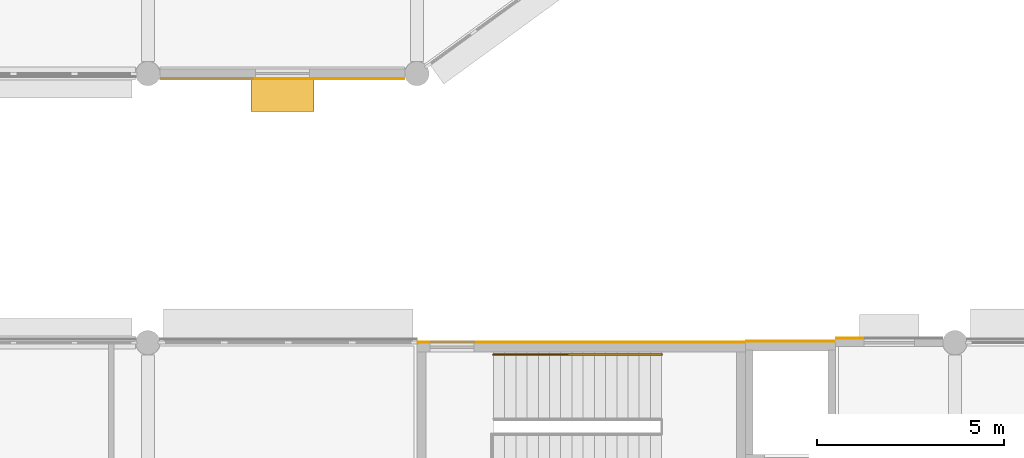
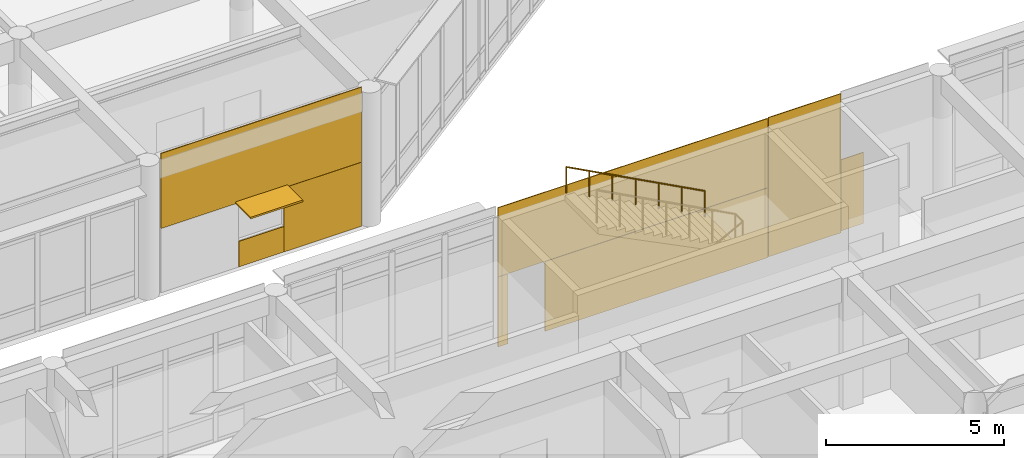
# One storey, part 66 of 92: 8 coverings, 1 railing, 1 shading device.
"""IFC4 building model written with IfcOpenShell, lengths in metres."""

from ifc_helpers import new_model, si_unit, direction, frame, origin, origin_2d, place, context, subcontext, project, spatial, rectangle, circle, extrude, material, layer, layer_set, type_object, element, save


model = new_model("IFC4")

# Units and contexts
model_context = context("Model", 3, precision=1e-05, world=origin(), true_north=direction((0.0, 1.0)))
body_context = subcontext(model_context, "Body", "Model", "MODEL_VIEW")
ifc_project = project(units=[si_unit("LENGTHUNIT", "METRE"), si_unit("AREAUNIT", "SQUARE_METRE"), si_unit("VOLUMEUNIT", "CUBIC_METRE"), si_unit("PLANEANGLEUNIT", "RADIAN"), si_unit("MASSUNIT", "GRAM", prefix="KILO")], contexts=[model_context])

# Site, building, storey
site_placement = place(None, origin())
site = spatial("IfcSite", under=ifc_project, at=site_placement, CompositionType="ELEMENT")
building_placement = place(site_placement, origin())
building = spatial("IfcBuilding", under=site, at=building_placement, Name="Namkhue Oval Health Centre", CompositionType="ELEMENT")
storey_placement = place(building_placement, frame((0.0, 0.0, 4.800048828125)))
storey = spatial("IfcBuildingStorey", under=building, at=storey_placement, Name="L01", CompositionType="ELEMENT", Elevation=4.800048828125)

# Railing
ifc_material_1 = material(Name="Brushed stainless steel 304 tubular handrail", Category="steel")
railing_type = type_object("IfcRailingType", Name="INTERIOR STAIR HANDRAIL 900", PredefinedType="HANDRAIL", material=ifc_material_1)
railing_placement = place(storey_placement, frame((64.14990234375, 28.47998046875, 2.39990234375)))
element("IfcRailing", 1, at=railing_placement, inside=storey, type_object=railing_type, Name="Stair ST-07 L01 Flight 2 Handrail", PredefinedType="HANDRAIL", context=body_context, shape_type="SweptSolid", body=[
    extrude(circle(Radius=0.02392578125, at=origin_2d()), frame((0.0, 0.0, 0.8759765625), z_axis=(-0.882341014787, 0.0, 0.470610596591), x_axis=(0.0, -1.0, 0.0)), (0.0, 0.0, 1.0), 5.10009765625),
    extrude(circle(Radius=0.02099609375, at=origin_2d()), origin(), (0.0, 0.0, 1.0), 0.851806640625),
    extrude(circle(Radius=0.02099609375, at=origin_2d()), frame((-0.75, 0.0, 0.39990234375)), (0.0, 0.0, 1.0), 0.851806640625),
    extrude(circle(Radius=0.02099609375, at=origin_2d()), frame((-1.5, 0.0, 0.800048828125)), (0.0, 0.0, 1.0), 0.851806640625),
    extrude(circle(Radius=0.02099609375, at=origin_2d()), frame((-2.25, 0.0, 1.2001953125)), (0.0, 0.0, 1.0), 0.851806640625),
    extrude(circle(Radius=0.02099609375, at=origin_2d()), frame((-3.0, 0.0, 1.60009765625)), (0.0, 0.0, 1.0), 0.851806640625),
    extrude(circle(Radius=0.02099609375, at=origin_2d()), frame((-3.75, 0.0, 2.0)), (0.0, 0.0, 1.0), 0.851806640625),
    extrude(circle(Radius=0.02099609375, at=origin_2d()), frame((-4.5, 0.0, 2.400146484375)), (0.0, 0.0, 1.0), 0.851806640625),
])

# Shading device
ifc_material_2 = material(Name="Anodised aluminium EN AW-6063 T6", Category="aluminium")
ifc_layer_1 = layer(ifc_material_2, 0.06005859375)
ifc_layer_set_1 = layer_set([ifc_layer_1], Name="Anodised aluminium EN AW-6063 T6")
shading_device_type = type_object("IfcShadingDeviceType", Name="MONSOON SUN LOUVRE 900", PredefinedType="JALOUSIE", material=ifc_layer_set_1)
shading_device_placement = place(storey_placement, frame((54.0, 35.429931640625, 2.219970703125), z_axis=(0.0, 0.0, 1.0), x_axis=(1.0, 0.0, 0.0)))
element("IfcShadingDevice", 2, at=shading_device_placement, inside=storey, type_object=shading_device_type, Name="Volume V1 L01 Window Monsoon Louvre 26", PredefinedType="JALOUSIE", context=body_context, shape_type="SweptSolid", body=[
    extrude(rectangle(XDim=1.68994140625, YDim=0.89990234375, at=origin_2d()), origin(), (0.0, 0.0, 1.0), 0.06005859375),
])

# Coverings
ifc_material_3 = material(Name="White glass-fibre reinforced concrete GRC rainscreen cladding", Category="concrete")
ifc_layer_2 = layer(ifc_material_3, 0.02490234375)
ifc_layer_set_2 = layer_set([ifc_layer_2], Name="White glass-fibre reinforced concrete GRC rainscreen cladding")
covering_type = type_object("IfcCoveringType", Name="WHITE GRC RAINSCREEN CLADDING 25", PredefinedType="CLADDING", material=ifc_layer_set_2)
covering_1_placement = place(storey_placement, frame((54.0, 35.85791015625, 2.21484375), z_axis=(0.0, 0.0, 1.0), x_axis=(1.0, 0.0, 0.0)))
element("IfcCovering", 3, at=covering_1_placement, inside=storey, type_object=covering_type, Name="Volume V1 L01 Facade 9 White GRC Cladding 1", PredefinedType="CLADDING", context=body_context, shape_type="SweptSolid", body=[
    extrude(rectangle(XDim=6.52001953125, YDim=0.02490234375, at=origin_2d()), origin(), (0.0, 0.0, 1.0), 2.574951171875),
])
covering_2_placement = place(storey_placement, frame((54.0, 35.85791015625, 0.010009765625), z_axis=(0.0, 0.0, 1.0), x_axis=(1.0, 0.0, 0.0)))
element("IfcCovering", 4, at=covering_2_placement, inside=storey, type_object=covering_type, Name="Volume V1 L01 Facade 9 White GRC Cladding 3", PredefinedType="CLADDING", context=body_context, shape_type="SweptSolid", body=[
    extrude(rectangle(XDim=1.469970703125, YDim=0.02490234375, at=origin_2d()), origin(), (0.0, 0.0, 1.0), 0.875),
])
covering_3_placement = place(storey_placement, frame((56.0, 35.85791015625, 0.009765625), z_axis=(0.0, 0.0, 1.0), x_axis=(1.0, 0.0, 0.0)))
element("IfcCovering", 5, at=covering_3_placement, inside=storey, type_object=covering_type, Name="Volume V1 L01 Facade 9 White GRC Cladding 4", PredefinedType="CLADDING", context=body_context, shape_type="SweptSolid", body=[
    extrude(rectangle(XDim=2.52001953125, YDim=0.02490234375, at=origin_2d()), origin(), (0.0, 0.0, 1.0), 2.199951171875),
])
covering_4_placement = place(storey_placement, frame((69.1865234375, 28.922119140625, 0.010009765625), z_axis=(0.0, 0.0, 1.0), x_axis=(-1.0, 0.0, 0.0)))
element("IfcCovering", 6, at=covering_4_placement, inside=storey, type_object=covering_type, Name="Volume V4 L01 Facade 101 White GRC Cladding 4", PredefinedType="CLADDING", context=body_context, shape_type="SweptSolid", body=[
    extrude(rectangle(XDim=0.72900390625, YDim=0.02490234375, at=origin_2d()), origin(), (0.0, 0.0, 1.0), 2.43994140625),
])
covering_5_placement = place(storey_placement, frame((62.0, 28.81201171875, 2.4150390625), z_axis=(0.0, 0.0, 1.0), x_axis=(-1.0, 0.0, 0.0)))
element("IfcCovering", 7, at=covering_5_placement, inside=storey, type_object=covering_type, Name="Core SC-07 L01 Core N White GRC Cladding 1", PredefinedType="CLADDING", context=body_context, shape_type="SweptSolid", body=[
    extrude(rectangle(XDim=8.760009765625, YDim=0.02490234375, at=origin_2d()), origin(), (0.0, 0.0, 1.0), 2.375),
])
covering_6_placement = place(storey_placement, frame((62.762451171875, 28.81201171875, 0.010009765625), z_axis=(0.0, 0.0, 1.0), x_axis=(-1.0, 0.0, 0.0)))
element("IfcCovering", 8, at=covering_6_placement, inside=storey, type_object=covering_type, Name="Core SC-07 L01 Core N White GRC Cladding 2", PredefinedType="CLADDING", context=body_context, shape_type="SweptSolid", body=[
    extrude(rectangle(XDim=7.235107421875, YDim=0.02490234375, at=origin_2d()), origin(), (0.0, 0.0, 1.0), 2.39990234375),
])
covering_7_placement = place(storey_placement, frame((57.777587890625, 28.81201171875, 0.010009765625), z_axis=(0.0, 0.0, 1.0), x_axis=(-1.0, 0.0, 0.0)))
element("IfcCovering", 9, at=covering_7_placement, inside=storey, type_object=covering_type, Name="Core SC-07 L01 Core N White GRC Cladding 4", PredefinedType="CLADDING", context=body_context, shape_type="SweptSolid", body=[
    extrude(rectangle(XDim=0.31494140625, YDim=0.02490234375, at=origin_2d()), origin(), (0.0, 0.0, 1.0), 2.39990234375),
])
covering_8_placement = place(storey_placement, frame((67.60009765625, 28.8369140625, 0.009765625), z_axis=(0.0, 0.0, 1.0), x_axis=(-1.0, 0.0, 0.0)))
element("IfcCovering", 10, at=covering_8_placement, inside=storey, type_object=covering_type, Name="Lift LF-05 L01 N White GRC Cladding 1", PredefinedType="CLADDING", context=body_context, shape_type="SweptSolid", body=[
    extrude(rectangle(XDim=2.360107421875, YDim=0.02490234375, at=origin_2d()), origin(), (0.0, 0.0, 1.0), 4.780029296875),
])

save(model, "model.ifc")
